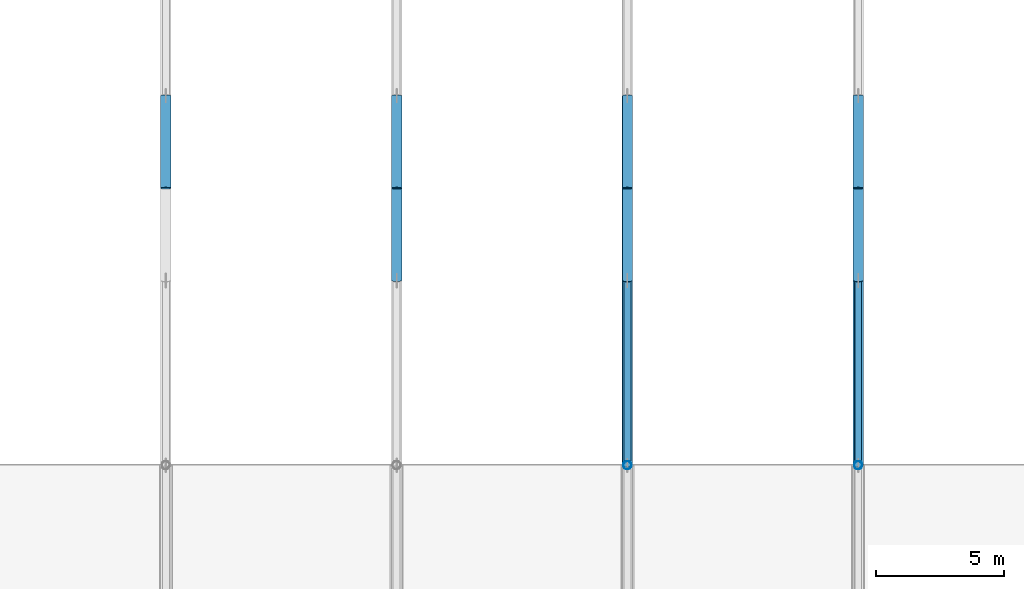
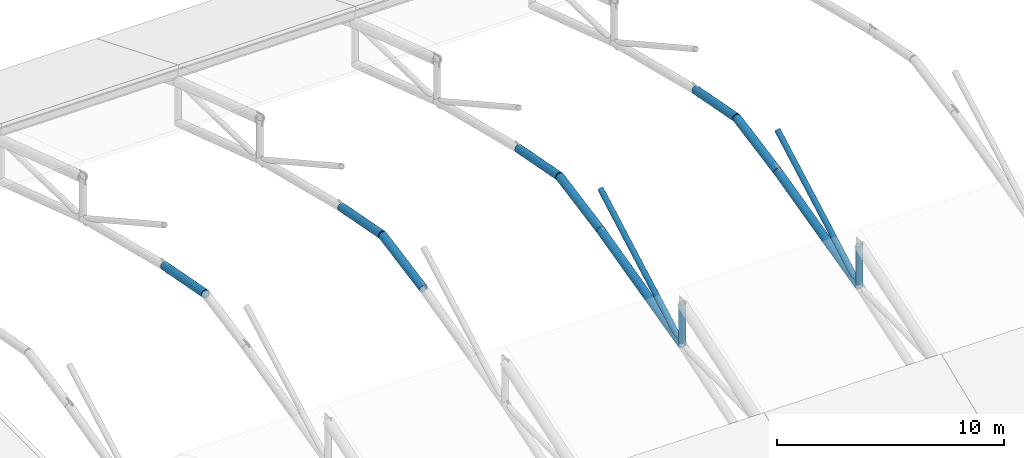
# One storey, part 47 of 78: 13 members.
"""IFC4 building model written with IfcOpenShell, lengths in metres."""

from ifc_helpers import new_model, si_unit, direction, frame, origin, origin_2d, place, context, subcontext, project, spatial, hollow_circle, extrude, material, material_profile, profile_set, type_object, element, save


model = new_model("IFC4")

# Units and contexts
model_context = context("Model", 3, precision=1e-05, world=origin(), true_north=direction((0.0, 1.0)))
body_context = subcontext(model_context, "Body", "Model", "MODEL_VIEW")
ifc_project = project(units=[si_unit("LENGTHUNIT", "METRE"), si_unit("AREAUNIT", "SQUARE_METRE"), si_unit("VOLUMEUNIT", "CUBIC_METRE"), si_unit("PLANEANGLEUNIT", "RADIAN"), si_unit("MASSUNIT", "GRAM", prefix="KILO")], contexts=[model_context])

# Site, building, storey
site_placement = place(None, origin())
site = spatial("IfcSite", under=ifc_project, at=site_placement, CompositionType="ELEMENT")
building_placement = place(site_placement, origin())
building = spatial("IfcBuilding", under=site, at=building_placement, Name="Celestram Park Convention Centre", CompositionType="ELEMENT")
storey_placement = place(building_placement, frame((0.0, 0.0, 19.800048828125)))
storey = spatial("IfcBuildingStorey", under=building, at=storey_placement, Name="L04", CompositionType="ELEMENT", Elevation=19.800048828125)

# Members
ifc_material = material(Name="Steel ASTM A500 Grade C", Category="steel")
ifc_material_profile_1 = material_profile(ifc_material, hollow_circle(Radius=0.136474609375, WallThickness=0.010009765625, at=origin_2d()), Name="CHS273X10")
ifc_profile_set_1 = profile_set([ifc_material_profile_1], Name="Steel ASTM A500 Grade C")
member_type_1 = type_object("IfcMemberType", Name="STR-BRC-CHS273", PredefinedType="BRACE", material=ifc_profile_set_1)
for number, where, z_axis, x_axis, name in (
    (1, (180.0, 129.60009765625, 2.230712890625), (0.0, 0.874218793516, 0.485532183344), (-1.0, 0.0, 0.0), "V2 arch web diagonal"),
    (2, (189.0, 129.60009765625, 2.230712890625), (0.0, 0.874218793516, 0.485532183344), (-1.0, 0.0, 0.0), "V2 arch web diagonal"),
):
    element("IfcMember", number, at=place(storey_placement, frame(where, z_axis=z_axis, x_axis=x_axis)), inside=storey, type_object=member_type_1, Name=name, PredefinedType="BRACE", context=body_context, shape_type="SweptSolid", body=[
        extrude(hollow_circle(Radius=0.136474609375, WallThickness=0.010009765625, at=origin_2d()), origin(), (0.0, 0.0, 1.0), 8.23583984375),
    ])
ifc_material_profile_2 = material_profile(ifc_material, hollow_circle(Radius=0.202880859375, WallThickness=0.013916015625, at=origin_2d()), Name="CHS406X14")
ifc_profile_set_2 = profile_set([ifc_material_profile_2], Name="Steel ASTM A500 Grade C")
member_type_2 = type_object("IfcMemberType", Name="STR-CHD-CHS406", PredefinedType="CHORD", material=ifc_profile_set_2)
member_1_placement = place(storey_placement, frame((162.0, 140.39990234375, 4.7138671875), z_axis=(0.0, 0.982409054746, -0.186741664211), x_axis=(-1.0, 0.0, 0.0)))
element("IfcMember", 3, at=member_1_placement, inside=storey, type_object=member_type_2, Name="V2 arch bottom chord", PredefinedType="CHORD", context=body_context, shape_type="SweptSolid", body=[
    extrude(hollow_circle(Radius=0.202880859375, WallThickness=0.013916015625, at=origin_2d()), origin(), (0.0, 0.0, 1.0), 3.66455078125),
])
member_2_placement = place(storey_placement, frame((171.0, 136.800048828125, 4.029541015625), z_axis=(0.0, 0.982406731244, 0.186753887262), x_axis=(-1.0, 0.0, 0.0)))
element("IfcMember", 4, at=member_2_placement, inside=storey, type_object=member_type_2, Name="V2 arch bottom chord", PredefinedType="CHORD", context=body_context, shape_type="SweptSolid", body=[
    extrude(hollow_circle(Radius=0.202880859375, WallThickness=0.013916015625, at=origin_2d()), origin(), (0.0, 0.0, 1.0), 3.664306640625),
])
member_3_placement = place(storey_placement, frame((171.0, 140.39990234375, 4.7138671875), z_axis=(0.0, 0.982409054746, -0.186741664211), x_axis=(-1.0, 0.0, 0.0)))
element("IfcMember", 5, at=member_3_placement, inside=storey, type_object=member_type_2, Name="V2 arch bottom chord", PredefinedType="CHORD", context=body_context, shape_type="SweptSolid", body=[
    extrude(hollow_circle(Radius=0.202880859375, WallThickness=0.013916015625, at=origin_2d()), origin(), (0.0, 0.0, 1.0), 3.66455078125),
])
member_4_placement = place(storey_placement, frame((180.0, 129.60009765625, 2.230712890625), z_axis=(0.0, 0.970179256757, 0.242388551212), x_axis=(-1.0, 0.0, 0.0)))
element("IfcMember", 6, at=member_4_placement, inside=storey, type_object=member_type_2, Name="V2 arch bottom chord", PredefinedType="CHORD", context=body_context, shape_type="SweptSolid", body=[
    extrude(hollow_circle(Radius=0.202880859375, WallThickness=0.013916015625, at=origin_2d()), origin(), (0.0, 0.0, 1.0), 7.421142578125),
])
member_5_placement = place(storey_placement, frame((180.0, 136.800048828125, 4.029541015625), z_axis=(0.0, 0.982406731244, 0.186753887262), x_axis=(-1.0, 0.0, 0.0)))
element("IfcMember", 7, at=member_5_placement, inside=storey, type_object=member_type_2, Name="V2 arch bottom chord", PredefinedType="CHORD", context=body_context, shape_type="SweptSolid", body=[
    extrude(hollow_circle(Radius=0.202880859375, WallThickness=0.013916015625, at=origin_2d()), origin(), (0.0, 0.0, 1.0), 3.664306640625),
])
member_6_placement = place(storey_placement, frame((180.0, 140.39990234375, 4.7138671875), z_axis=(0.0, 0.982409054746, -0.186741664211), x_axis=(-1.0, 0.0, 0.0)))
element("IfcMember", 8, at=member_6_placement, inside=storey, type_object=member_type_2, Name="V2 arch bottom chord", PredefinedType="CHORD", context=body_context, shape_type="SweptSolid", body=[
    extrude(hollow_circle(Radius=0.202880859375, WallThickness=0.013916015625, at=origin_2d()), origin(), (0.0, 0.0, 1.0), 3.66455078125),
])
member_7_placement = place(storey_placement, frame((189.0, 129.60009765625, 2.230712890625), z_axis=(0.0, 0.970179256757, 0.242388551212), x_axis=(-1.0, 0.0, 0.0)))
element("IfcMember", 9, at=member_7_placement, inside=storey, type_object=member_type_2, Name="V2 arch bottom chord", PredefinedType="CHORD", context=body_context, shape_type="SweptSolid", body=[
    extrude(hollow_circle(Radius=0.202880859375, WallThickness=0.013916015625, at=origin_2d()), origin(), (0.0, 0.0, 1.0), 7.421142578125),
])
member_8_placement = place(storey_placement, frame((189.0, 136.800048828125, 4.029541015625), z_axis=(0.0, 0.982406731244, 0.186753887262), x_axis=(-1.0, 0.0, 0.0)))
element("IfcMember", 10, at=member_8_placement, inside=storey, type_object=member_type_2, Name="V2 arch bottom chord", PredefinedType="CHORD", context=body_context, shape_type="SweptSolid", body=[
    extrude(hollow_circle(Radius=0.202880859375, WallThickness=0.013916015625, at=origin_2d()), origin(), (0.0, 0.0, 1.0), 3.664306640625),
])
member_9_placement = place(storey_placement, frame((189.0, 140.39990234375, 4.7138671875), z_axis=(0.0, 0.982409054746, -0.186741664211), x_axis=(-1.0, 0.0, 0.0)))
element("IfcMember", 11, at=member_9_placement, inside=storey, type_object=member_type_2, Name="V2 arch bottom chord", PredefinedType="CHORD", context=body_context, shape_type="SweptSolid", body=[
    extrude(hollow_circle(Radius=0.202880859375, WallThickness=0.013916015625, at=origin_2d()), origin(), (0.0, 0.0, 1.0), 3.66455078125),
])
ifc_material_profile_3 = material_profile(ifc_material, hollow_circle(Radius=0.162109375, WallThickness=0.011962890625, at=origin_2d()), Name="CHS324X12")
ifc_profile_set_3 = profile_set([ifc_material_profile_3], Name="Steel ASTM A500 Grade C")
member_type_3 = type_object("IfcMemberType", Name="STR-STR-CHS324", PredefinedType="STRUT", material=ifc_profile_set_3)
for number, where, z_axis, x_axis, name in (
    (12, (180.0, 129.60009765625, 2.230712890625), (0.0, 0.0, 1.0), (1.0, 0.0, 0.0), "V2 arch vertical strut"),
    (13, (189.0, 129.60009765625, 2.230712890625), (0.0, 0.0, 1.0), (1.0, 0.0, 0.0), "V2 arch vertical strut"),
):
    element("IfcMember", number, at=place(storey_placement, frame(where, z_axis=z_axis, x_axis=x_axis)), inside=storey, type_object=member_type_3, Name=name, PredefinedType="STRUT", context=body_context, shape_type="SweptSolid", body=[
        extrude(hollow_circle(Radius=0.162109375, WallThickness=0.011962890625, at=origin_2d()), origin(), (0.0, 0.0, 1.0), 2.199951171875),
    ])

save(model, "model.ifc")
